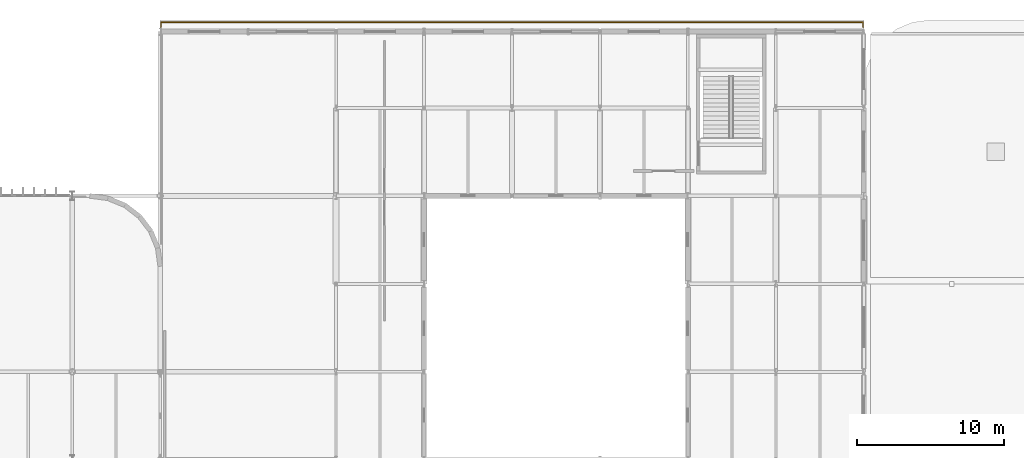
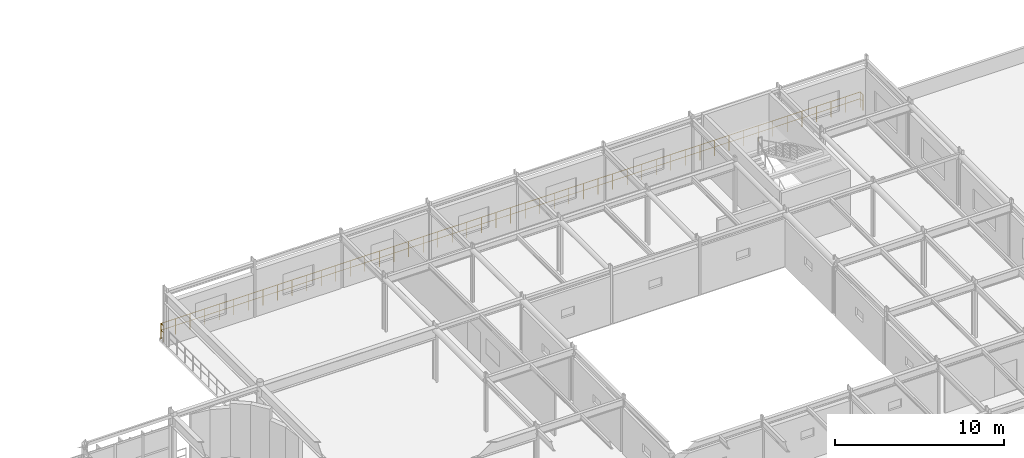
# One storey, part 112 of 116: 1 railing.
"""IFC4 building model written with IfcOpenShell, lengths in metres."""

from ifc_helpers import new_model, si_unit, direction, frame, origin, origin_2d, place, context, subcontext, project, spatial, circle, extrude, material, type_object, element, save


model = new_model("IFC4")

# Units and contexts
model_context = context("Model", 3, precision=1e-05, world=origin(), true_north=direction((0.0, 1.0)))
body_context = subcontext(model_context, "Body", "Model", "MODEL_VIEW")
ifc_project = project(units=[si_unit("LENGTHUNIT", "METRE"), si_unit("AREAUNIT", "SQUARE_METRE"), si_unit("VOLUMEUNIT", "CUBIC_METRE"), si_unit("PLANEANGLEUNIT", "RADIAN"), si_unit("MASSUNIT", "GRAM", prefix="KILO")], contexts=[model_context])

# Site, building, storey
site_placement = place(None, origin())
site = spatial("IfcSite", under=ifc_project, at=site_placement, CompositionType="ELEMENT")
building_placement = place(site_placement, origin())
building = spatial("IfcBuilding", under=site, at=building_placement, Name="Varnakota Square Police Headquarters", CompositionType="ELEMENT")
storey_placement = place(building_placement, frame((0.0, 0.0, 9.300048828125)))
storey = spatial("IfcBuildingStorey", under=building, at=storey_placement, Name="L02", CompositionType="ELEMENT", Elevation=9.300048828125)

# Railing
ifc_material = material(Name="Galvanised Powder-Coated Steel Guardrail", Category="steel")
railing_type = type_object("IfcRailingType", Name="RL-BAL-1150", PredefinedType="BALUSTRADE", material=ifc_material)
railing_placement = place(storey_placement, frame((96.050048828125, 110.508544921875, 0.0)))
element("IfcRailing", 1, at=railing_placement, inside=storey, type_object=railing_type, Name="Perimeter edge safety guard GD-AUTO-L02-060", PredefinedType="BALUSTRADE", context=body_context, shape_type="SweptSolid", body=[
    extrude(circle(Radius=0.02392578125, at=origin_2d()), frame((0.0, 0.0, 1.1259765625), z_axis=(0.0, 1.0, 0.0), x_axis=(-1.0, 0.0, 0.0)), (0.0, 0.0, 1.0), 0.341552734375),
    extrude(circle(Radius=0.01806640625, at=origin_2d()), frame((0.0, 0.0, 0.63232421875), z_axis=(0.0, 1.0, 0.0), x_axis=(-1.0, 0.0, 0.0)), (0.0, 0.0, 1.0), 0.341552734375),
    extrude(circle(Radius=0.02392578125, at=origin_2d()), frame((0.0, 0.341552734375, 1.1259765625), z_axis=(1.0, 0.0, 0.0), x_axis=(0.0, 1.0, 0.0)), (0.0, 0.0, 1.0), 47.89990234375),
    extrude(circle(Radius=0.01806640625, at=origin_2d()), frame((0.0, 0.341552734375, 0.63232421875), z_axis=(1.0, 0.0, 0.0), x_axis=(0.0, 1.0, 0.0)), (0.0, 0.0, 1.0), 47.89990234375),
    extrude(circle(Radius=0.02392578125, at=origin_2d()), frame((47.89990234375, 0.341552734375, 1.1259765625), z_axis=(0.0, -1.0, 0.0), x_axis=(1.0, 0.0, 0.0)), (0.0, 0.0, 1.0), 0.341552734375),
    extrude(circle(Radius=0.01806640625, at=origin_2d()), frame((47.89990234375, 0.341552734375, 0.63232421875), z_axis=(0.0, -1.0, 0.0), x_axis=(1.0, 0.0, 0.0)), (0.0, 0.0, 1.0), 0.341552734375),
    extrude(circle(Radius=0.02099609375, at=origin_2d()), origin(), (0.0, 0.0, 1.0), 1.101806640625),
    extrude(circle(Radius=0.02099609375, at=origin_2d()), frame((0.0, 0.341552734375, 0.0)), (0.0, 0.0, 1.0), 1.101806640625),
    extrude(circle(Radius=0.02099609375, at=origin_2d()), frame((0.997802734375, 0.341552734375, 0.0)), (0.0, 0.0, 1.0), 1.101806640625),
    extrude(circle(Radius=0.02099609375, at=origin_2d()), frame((1.995849609375, 0.341552734375, 0.0)), (0.0, 0.0, 1.0), 1.101806640625),
    extrude(circle(Radius=0.02099609375, at=origin_2d()), frame((2.99365234375, 0.341552734375, 0.0)), (0.0, 0.0, 1.0), 1.101806640625),
    extrude(circle(Radius=0.02099609375, at=origin_2d()), frame((3.99169921875, 0.341552734375, 0.0)), (0.0, 0.0, 1.0), 1.101806640625),
    extrude(circle(Radius=0.02099609375, at=origin_2d()), frame((4.989501953125, 0.341552734375, 0.0)), (0.0, 0.0, 1.0), 1.101806640625),
    extrude(circle(Radius=0.02099609375, at=origin_2d()), frame((5.987548828125, 0.341552734375, 0.0)), (0.0, 0.0, 1.0), 1.101806640625),
    extrude(circle(Radius=0.02099609375, at=origin_2d()), frame((6.9853515625, 0.341552734375, 0.0)), (0.0, 0.0, 1.0), 1.101806640625),
    extrude(circle(Radius=0.02099609375, at=origin_2d()), frame((7.9833984375, 0.341552734375, 0.0)), (0.0, 0.0, 1.0), 1.101806640625),
    extrude(circle(Radius=0.02099609375, at=origin_2d()), frame((8.981201171875, 0.341552734375, 0.0)), (0.0, 0.0, 1.0), 1.101806640625),
    extrude(circle(Radius=0.02099609375, at=origin_2d()), frame((9.979248046875, 0.341552734375, 0.0)), (0.0, 0.0, 1.0), 1.101806640625),
    extrude(circle(Radius=0.02099609375, at=origin_2d()), frame((10.97705078125, 0.341552734375, 0.0)), (0.0, 0.0, 1.0), 1.101806640625),
    extrude(circle(Radius=0.02099609375, at=origin_2d()), frame((11.97509765625, 0.341552734375, 0.0)), (0.0, 0.0, 1.0), 1.101806640625),
    extrude(circle(Radius=0.02099609375, at=origin_2d()), frame((12.972900390625, 0.341552734375, 0.0)), (0.0, 0.0, 1.0), 1.101806640625),
    extrude(circle(Radius=0.02099609375, at=origin_2d()), frame((13.970703125, 0.341552734375, 0.0)), (0.0, 0.0, 1.0), 1.101806640625),
    extrude(circle(Radius=0.02099609375, at=origin_2d()), frame((14.96875, 0.341552734375, 0.0)), (0.0, 0.0, 1.0), 1.101806640625),
    extrude(circle(Radius=0.02099609375, at=origin_2d()), frame((15.966552734375, 0.341552734375, 0.0)), (0.0, 0.0, 1.0), 1.101806640625),
    extrude(circle(Radius=0.02099609375, at=origin_2d()), frame((16.964599609375, 0.341552734375, 0.0)), (0.0, 0.0, 1.0), 1.101806640625),
    extrude(circle(Radius=0.02099609375, at=origin_2d()), frame((17.96240234375, 0.341552734375, 0.0)), (0.0, 0.0, 1.0), 1.101806640625),
    extrude(circle(Radius=0.02099609375, at=origin_2d()), frame((18.96044921875, 0.341552734375, 0.0)), (0.0, 0.0, 1.0), 1.101806640625),
    extrude(circle(Radius=0.02099609375, at=origin_2d()), frame((19.958251953125, 0.341552734375, 0.0)), (0.0, 0.0, 1.0), 1.101806640625),
    extrude(circle(Radius=0.02099609375, at=origin_2d()), frame((20.956298828125, 0.341552734375, 0.0)), (0.0, 0.0, 1.0), 1.101806640625),
    extrude(circle(Radius=0.02099609375, at=origin_2d()), frame((21.9541015625, 0.341552734375, 0.0)), (0.0, 0.0, 1.0), 1.101806640625),
    extrude(circle(Radius=0.02099609375, at=origin_2d()), frame((22.9521484375, 0.341552734375, 0.0)), (0.0, 0.0, 1.0), 1.101806640625),
    extrude(circle(Radius=0.02099609375, at=origin_2d()), frame((23.949951171875, 0.341552734375, 0.0)), (0.0, 0.0, 1.0), 1.101806640625),
    extrude(circle(Radius=0.02099609375, at=origin_2d()), frame((24.94775390625, 0.341552734375, 0.0)), (0.0, 0.0, 1.0), 1.101806640625),
    extrude(circle(Radius=0.02099609375, at=origin_2d()), frame((25.94580078125, 0.341552734375, 0.0)), (0.0, 0.0, 1.0), 1.101806640625),
    extrude(circle(Radius=0.02099609375, at=origin_2d()), frame((26.943603515625, 0.341552734375, 0.0)), (0.0, 0.0, 1.0), 1.101806640625),
    extrude(circle(Radius=0.02099609375, at=origin_2d()), frame((27.941650390625, 0.341552734375, 0.0)), (0.0, 0.0, 1.0), 1.101806640625),
    extrude(circle(Radius=0.02099609375, at=origin_2d()), frame((28.939453125, 0.341552734375, 0.0)), (0.0, 0.0, 1.0), 1.101806640625),
    extrude(circle(Radius=0.02099609375, at=origin_2d()), frame((29.9375, 0.341552734375, 0.0)), (0.0, 0.0, 1.0), 1.101806640625),
    extrude(circle(Radius=0.02099609375, at=origin_2d()), frame((30.935302734375, 0.341552734375, 0.0)), (0.0, 0.0, 1.0), 1.101806640625),
    extrude(circle(Radius=0.02099609375, at=origin_2d()), frame((31.933349609375, 0.341552734375, 0.0)), (0.0, 0.0, 1.0), 1.101806640625),
    extrude(circle(Radius=0.02099609375, at=origin_2d()), frame((32.93115234375, 0.341552734375, 0.0)), (0.0, 0.0, 1.0), 1.101806640625),
    extrude(circle(Radius=0.02099609375, at=origin_2d()), frame((33.92919921875, 0.341552734375, 0.0)), (0.0, 0.0, 1.0), 1.101806640625),
    extrude(circle(Radius=0.02099609375, at=origin_2d()), frame((34.927001953125, 0.341552734375, 0.0)), (0.0, 0.0, 1.0), 1.101806640625),
    extrude(circle(Radius=0.02099609375, at=origin_2d()), frame((35.9248046875, 0.341552734375, 0.0)), (0.0, 0.0, 1.0), 1.101806640625),
    extrude(circle(Radius=0.02099609375, at=origin_2d()), frame((36.9228515625, 0.341552734375, 0.0)), (0.0, 0.0, 1.0), 1.101806640625),
    extrude(circle(Radius=0.02099609375, at=origin_2d()), frame((37.920654296875, 0.341552734375, 0.0)), (0.0, 0.0, 1.0), 1.101806640625),
    extrude(circle(Radius=0.02099609375, at=origin_2d()), frame((38.918701171875, 0.341552734375, 0.0)), (0.0, 0.0, 1.0), 1.101806640625),
    extrude(circle(Radius=0.02099609375, at=origin_2d()), frame((39.91650390625, 0.341552734375, 0.0)), (0.0, 0.0, 1.0), 1.101806640625),
    extrude(circle(Radius=0.02099609375, at=origin_2d()), frame((40.91455078125, 0.341552734375, 0.0)), (0.0, 0.0, 1.0), 1.101806640625),
    extrude(circle(Radius=0.02099609375, at=origin_2d()), frame((41.912353515625, 0.341552734375, 0.0)), (0.0, 0.0, 1.0), 1.101806640625),
    extrude(circle(Radius=0.02099609375, at=origin_2d()), frame((42.910400390625, 0.341552734375, 0.0)), (0.0, 0.0, 1.0), 1.101806640625),
    extrude(circle(Radius=0.02099609375, at=origin_2d()), frame((43.908203125, 0.341552734375, 0.0)), (0.0, 0.0, 1.0), 1.101806640625),
    extrude(circle(Radius=0.02099609375, at=origin_2d()), frame((44.90625, 0.341552734375, 0.0)), (0.0, 0.0, 1.0), 1.101806640625),
    extrude(circle(Radius=0.02099609375, at=origin_2d()), frame((45.904052734375, 0.341552734375, 0.0)), (0.0, 0.0, 1.0), 1.101806640625),
    extrude(circle(Radius=0.02099609375, at=origin_2d()), frame((46.902099609375, 0.341552734375, 0.0)), (0.0, 0.0, 1.0), 1.101806640625),
    extrude(circle(Radius=0.02099609375, at=origin_2d()), frame((47.89990234375, 0.341552734375, 0.0)), (0.0, 0.0, 1.0), 1.101806640625),
    extrude(circle(Radius=0.02099609375, at=origin_2d()), frame((47.89990234375, 0.0, 0.0)), (0.0, 0.0, 1.0), 1.101806640625),
])

save(model, "model.ifc")
